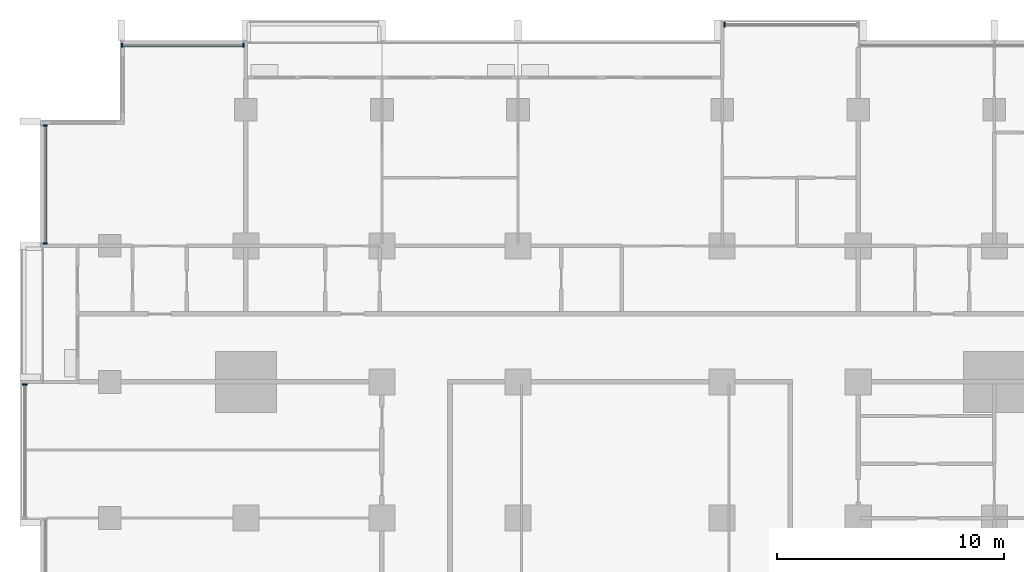
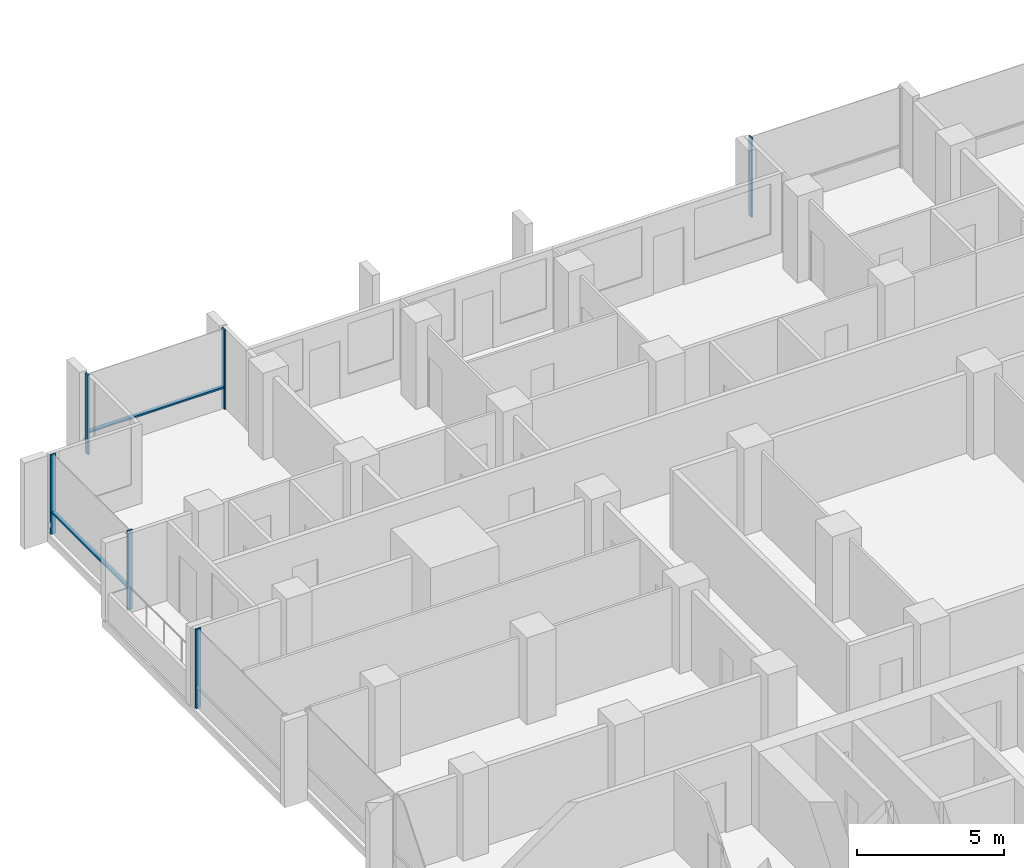
# One storey, part 4 of 17: 8 members, 4 elements without a shape of their own.
"""IFC4 building model written with IfcOpenShell, lengths in metres."""

from ifc_helpers import new_model, si_unit, direction, frame, origin, origin_2d, place, context, subcontext, project, spatial, rectangle, extrude, material, material_profile, profile_set, type_object, element, aggregate, save


model = new_model("IFC4")

# Units and contexts
model_context = context("Model", 3, precision=1e-05, world=origin(), true_north=direction((0.0, 1.0)))
body_context = subcontext(model_context, "Body", "Model", "MODEL_VIEW")
ifc_project = project(units=[si_unit("LENGTHUNIT", "METRE"), si_unit("AREAUNIT", "SQUARE_METRE"), si_unit("VOLUMEUNIT", "CUBIC_METRE"), si_unit("PLANEANGLEUNIT", "RADIAN"), si_unit("MASSUNIT", "GRAM", prefix="KILO")], contexts=[model_context])

# Site, building, storey
site_placement = place(None, origin())
site = spatial("IfcSite", under=ifc_project, at=site_placement, CompositionType="ELEMENT")
building_placement = place(site_placement, origin())
building = spatial("IfcBuilding", under=site, at=building_placement, Name="Finial Court Residences", CompositionType="ELEMENT")
storey_placement = place(building_placement, frame((0.0, 0.0, 95.5)))
storey = spatial("IfcBuildingStorey", under=building, at=storey_placement, Name="L23", CompositionType="ELEMENT", Elevation=95.5)

# Curtain wall, members
ifc_material = material(Name="Bronze anodised aluminium", Category="aluminium")
curtain_wall_type = type_object("IfcCurtainWallType", Name="Unitised curtain wall, lower and middle zones", PredefinedType="NOTDEFINED", material=ifc_material)
curtain_wall_1_placement = place(storey_placement, origin())
curtain_wall_1 = element("IfcCurtainWall", 1, at=curtain_wall_1_placement, inside=storey, type_object=curtain_wall_type, Name="E-L23-CW-N1", PredefinedType="NOTDEFINED")
ifc_material_profile_1 = material_profile(ifc_material, rectangle(XDim=0.199951171875, YDim=0.06494140625, at=origin_2d()), Name="CW1 mullion 65 x 200")
ifc_profile_set_1 = profile_set([ifc_material_profile_1], Name="Bronze anodised aluminium")
member_type_1 = type_object("IfcMemberType", Name="CW1 mullion 65 x 200", PredefinedType="MULLION", material=ifc_profile_set_1)
member_1_placement = place(storey_placement, frame((-21.967529296875, 22.35009765625, 0.0), z_axis=(0.0, 0.0, 1.0), x_axis=(0.0, 1.0, 0.0)))
member_1 = element("IfcMember", 2, at=member_1_placement, type_object=member_type_1, Name="CW1 mullion 1", PredefinedType="MULLION", context=body_context, shape_type="SweptSolid", body=[
    extrude(rectangle(XDim=0.199951171875, YDim=0.06494140625, at=origin_2d()), origin(), (0.0, 0.0, 1.0), 3.300048828125),
])
member_2_placement = place(storey_placement, frame((-16.607421875, 22.35009765625, 0.0), z_axis=(0.0, 0.0, 1.0), x_axis=(0.0, 1.0, 0.0)))
member_2 = element("IfcMember", 3, at=member_2_placement, type_object=member_type_1, Name="CW1 mullion 2", PredefinedType="MULLION", context=body_context, shape_type="SweptSolid", body=[
    extrude(rectangle(XDim=0.199951171875, YDim=0.06494140625, at=origin_2d()), origin(), (0.0, 0.0, 1.0), 3.300048828125),
])

# Curtain wall, member
curtain_wall_2_placement = place(storey_placement, origin())
curtain_wall_2 = element("IfcCurtainWall", 4, at=curtain_wall_2_placement, inside=storey, type_object=curtain_wall_type, Name="E-L23-CW-N2", PredefinedType="NOTDEFINED")
member_3_placement = place(storey_placement, frame((4.607421875, 23.25, 0.0), z_axis=(0.0, 0.0, 1.0), x_axis=(0.0, 1.0, 0.0)))
member_3 = element("IfcMember", 5, at=member_3_placement, type_object=member_type_1, Name="CW1 mullion 1", PredefinedType="MULLION", context=body_context, shape_type="SweptSolid", body=[
    extrude(rectangle(XDim=0.199951171875, YDim=0.06494140625, at=origin_2d()), origin(), (0.0, 0.0, 1.0), 3.300048828125),
])
aggregate(curtain_wall_2, [member_3])

curtain_wall_3_placement = place(storey_placement, origin())
curtain_wall_3 = element("IfcCurtainWall", 6, at=curtain_wall_3_placement, inside=storey, type_object=curtain_wall_type, Name="E-L23-CW-W10", PredefinedType="NOTDEFINED")
member_4_placement = place(storey_placement, frame((-26.25, 7.392578125, 0.0), z_axis=(0.0, 0.0, 1.0), x_axis=(-1.0, 0.0, 0.0)))
member_4 = element("IfcMember", 7, at=member_4_placement, type_object=member_type_1, Name="CW1 mullion 2", PredefinedType="MULLION", context=body_context, shape_type="SweptSolid", body=[
    extrude(rectangle(XDim=0.199951171875, YDim=0.06494140625, at=origin_2d()), origin(), (0.0, 0.0, 1.0), 3.300048828125),
])
aggregate(curtain_wall_3, [member_4])

# Curtain wall, members
curtain_wall_4_placement = place(storey_placement, origin())
curtain_wall_4 = element("IfcCurtainWall", 8, at=curtain_wall_4_placement, inside=storey, type_object=curtain_wall_type, Name="E-L23-CW-W11", PredefinedType="NOTDEFINED")
member_5_placement = place(storey_placement, frame((-25.35009765625, 13.607421875, 0.0), z_axis=(0.0, 0.0, 1.0), x_axis=(-1.0, 0.0, 0.0)))
member_5 = element("IfcMember", 9, at=member_5_placement, type_object=member_type_1, Name="CW1 mullion 1", PredefinedType="MULLION", context=body_context, shape_type="SweptSolid", body=[
    extrude(rectangle(XDim=0.199951171875, YDim=0.06494140625, at=origin_2d()), origin(), (0.0, 0.0, 1.0), 3.300048828125),
])
member_6_placement = place(storey_placement, frame((-25.35009765625, 18.8173828125, 0.0), z_axis=(0.0, 0.0, 1.0), x_axis=(-1.0, 0.0, 0.0)))
member_6 = element("IfcMember", 10, at=member_6_placement, type_object=member_type_1, Name="CW1 mullion 2", PredefinedType="MULLION", context=body_context, shape_type="SweptSolid", body=[
    extrude(rectangle(XDim=0.199951171875, YDim=0.06494140625, at=origin_2d()), origin(), (0.0, 0.0, 1.0), 3.300048828125),
])

# Member
ifc_material_profile_2 = material_profile(ifc_material, rectangle(XDim=0.14990234375, YDim=0.06494140625, at=origin_2d()), Name="CW1 transom 65 x 150")
ifc_profile_set_2 = profile_set([ifc_material_profile_2], Name="Bronze anodised aluminium")
member_type_2 = type_object("IfcMemberType", Name="CW1 transom 65 x 150", PredefinedType="USERDEFINED", material=ifc_profile_set_2)
member_7_placement = place(storey_placement, frame((-21.93505859375, 22.35009765625, 0.89990234375), z_axis=(1.0, 0.0, 0.0), x_axis=(0.0, 1.0, 0.0)))
member_7 = element("IfcMember", 11, at=member_7_placement, type_object=member_type_2, Name="CW1 transom 1.1", ObjectType="TRANSOM", PredefinedType="USERDEFINED", context=body_context, shape_type="SweptSolid", body=[
    extrude(rectangle(XDim=0.14990234375, YDim=0.06494140625, at=origin_2d()), origin(), (0.0, 0.0, 1.0), 5.295166015625),
])

aggregate(curtain_wall_1, [member_1, member_2, member_7])

member_8_placement = place(storey_placement, frame((-25.35009765625, 13.639892578125, 0.89990234375), z_axis=(0.0, 1.0, 0.0), x_axis=(-1.0, 0.0, 0.0)))
member_8 = element("IfcMember", 12, at=member_8_placement, type_object=member_type_2, Name="CW1 transom 1.1", ObjectType="TRANSOM", PredefinedType="USERDEFINED", context=body_context, shape_type="SweptSolid", body=[
    extrude(rectangle(XDim=0.14990234375, YDim=0.06494140625, at=origin_2d()), origin(), (0.0, 0.0, 1.0), 5.14501953125),
])

aggregate(curtain_wall_4, [member_5, member_6, member_8])

save(model, "model.ifc")
